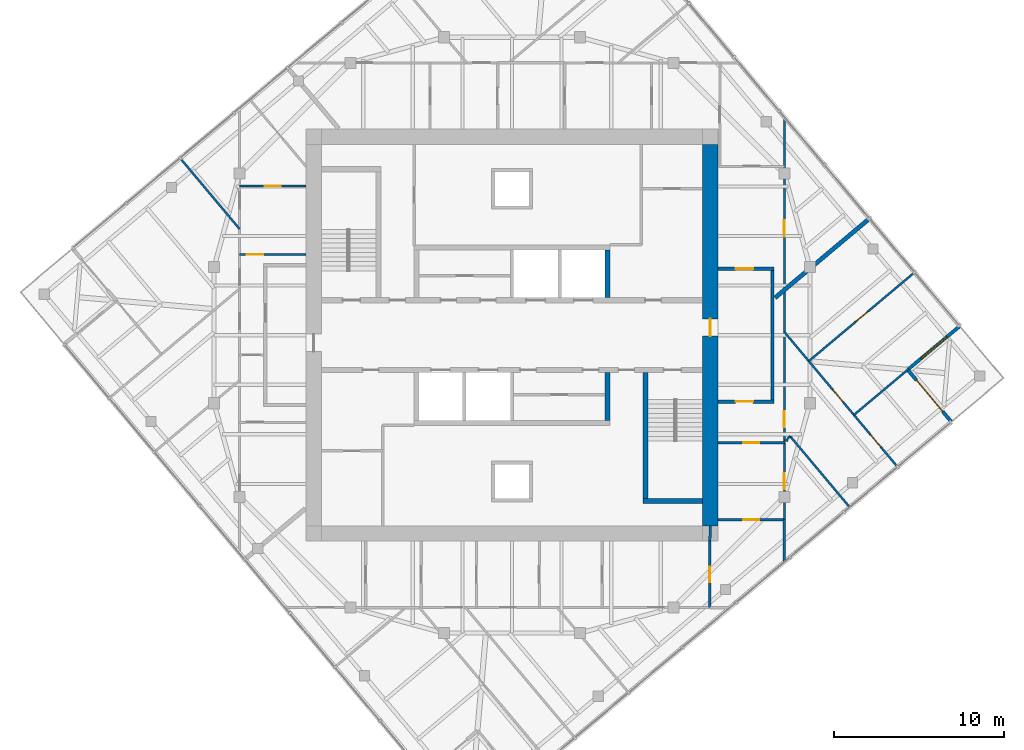
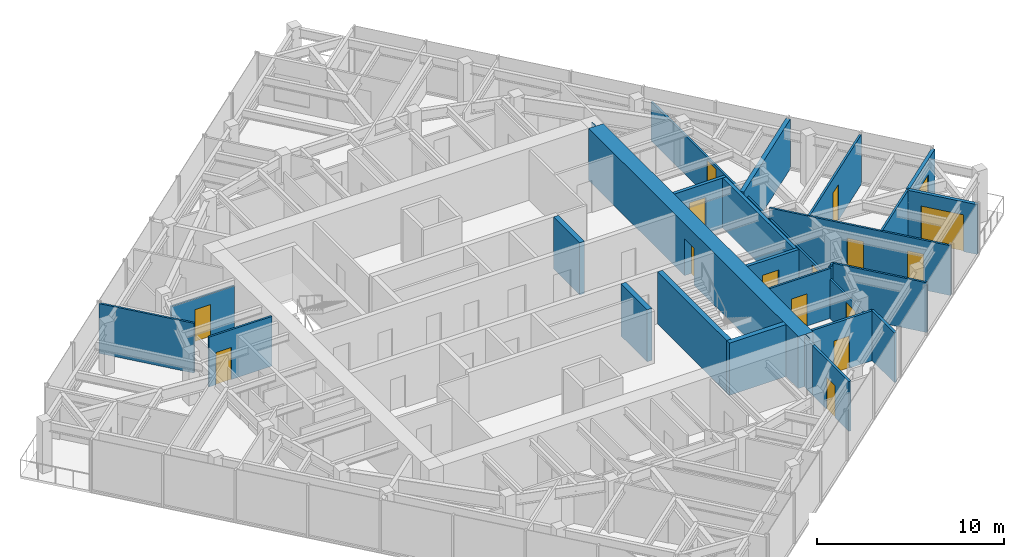
# One storey, part 9 of 12: 27 walls, 15 doors, 1 window, 16 openings.
"""IFC4 building model written with IfcOpenShell, lengths in metres."""

from ifc_helpers import new_model, si_unit, direction, frame, frame_2d, origin, place, context, subcontext, project, spatial, polyline, rectangle, outline, extrude, material, layer, layer_set, type_object, element, fill, save


model = new_model("IFC4")

# Units and contexts
model_context = context("Model", 3, precision=1e-05, world=origin(), true_north=direction((0.0, 1.0)))
body_context = subcontext(model_context, "Body", "Model", "MODEL_VIEW")
ifc_project = project(units=[si_unit("LENGTHUNIT", "METRE"), si_unit("AREAUNIT", "SQUARE_METRE"), si_unit("VOLUMEUNIT", "CUBIC_METRE"), si_unit("PLANEANGLEUNIT", "RADIAN"), si_unit("MASSUNIT", "GRAM", prefix="KILO")], contexts=[model_context])

# Site, building, storey
site_placement = place(None, origin())
site = spatial("IfcSite", under=ifc_project, at=site_placement, CompositionType="ELEMENT")
building_placement = place(site_placement, origin())
building = spatial("IfcBuilding", under=site, at=building_placement, Name="Torsade Residences", CompositionType="ELEMENT")
storey_placement = place(building_placement, frame((0.0, 0.0, 289.60009765625)))
storey = spatial("IfcBuildingStorey", under=building, at=storey_placement, Name="L80", CompositionType="ELEMENT", Elevation=289.60009765625)

# Walls
ifc_material_1 = material(Name="Concrete 80 MPa", Category="concrete")
ifc_layer_1 = layer(ifc_material_1, 0.300048828125)
ifc_layer_set_1 = layer_set([ifc_layer_1], Name="Concrete 80 MPa")
wall_type_1 = type_object("IfcWallType", Name="CORE INTERNAL WALL 300", PredefinedType="SHEAR", material=ifc_layer_set_1)
for number, where, z_axis, x_axis, name in (
    (1, (45.60009765625, 27.800048828125, 0.0), (0.0, 0.0, 1.0), (0.0, -1.0, 0.0), "Core wall DS0 L80"),
    (2, (45.60009765625, 32.199951171875, 0.0), (0.0, 0.0, 1.0), (0.0, 1.0, 0.0), "Core wall DN4 L80"),
):
    element("IfcWall", number, at=place(storey_placement, frame(where, z_axis=z_axis, x_axis=x_axis)), inside=storey, type_object=wall_type_1, Name=name, PredefinedType="SHEAR", context=body_context, shape_type="SweptSolid", body=[
        extrude(rectangle(XDim=2.800048828125, YDim=0.300048828125, at=frame_2d((1.39990234375, 0.0))), origin(), (0.0, 0.0, 1.0), 3.39990234375),
    ])
wall_1_placement = place(storey_placement, frame((47.85009765625, 27.800048828125, 0.0), z_axis=(0.0, 0.0, 1.0), x_axis=(0.0, -1.0, 0.0)))
element("IfcWall", 3, at=wall_1_placement, inside=storey, type_object=wall_type_1, Name="Core wall ST2W L80", PredefinedType="SHEAR", context=body_context, shape_type="SweptSolid", body=[
    extrude(rectangle(XDim=7.699951171875, YDim=0.300048828125, at=frame_2d((3.85009765625, 0.0))), origin(), (0.0, 0.0, 1.0), 3.39990234375),
])
wall_2_placement = place(storey_placement, frame((51.199951171875, 20.25, 0.0), z_axis=(0.0, 0.0, 1.0), x_axis=(-1.0, 0.0, 0.0)))
element("IfcWall", 4, at=wall_2_placement, inside=storey, type_object=wall_type_1, Name="Core wall ST2S L80", PredefinedType="SHEAR", context=body_context, shape_type="SweptSolid", body=[
    extrude(rectangle(XDim=3.5, YDim=0.300048828125, at=frame_2d((1.75, 0.0))), origin(), (0.0, 0.0, 1.0), 3.39990234375),
])

# Wall, opening, door
ifc_material_2 = material(Name="Concrete 80 MPa", Category="concrete")
ifc_layer_2 = layer(ifc_material_2, 0.89990234375)
ifc_layer_set_2 = layer_set([ifc_layer_2], Name="Concrete 80 MPa")
wall_type_2 = type_object("IfcWallType", Name="CORE WALL 900", PredefinedType="SHEAR", material=ifc_layer_set_2)
wall_3_placement = place(storey_placement, frame((51.64990234375, 18.800048828125, 0.0), z_axis=(0.0, 0.0, 1.0), x_axis=(0.0, 1.0, 0.0)))
wall_3 = element("IfcWall", 5, at=wall_3_placement, inside=storey, type_object=wall_type_2, Name="Core wall E L80", PredefinedType="SHEAR", context=body_context, shape_type="SweptSolid", body=[
    extrude(outline(polyline([(0.0, -0.449951171875), (22.39990234375, -0.449951171875), (22.39990234375, -0.02490234375), (22.849853515625, -0.02490234375), (22.849853515625, 0.02490234375), (22.39990234375, 0.02490234375), (22.39990234375, 0.449951171875), (0.0, 0.449951171875), (0.0, 0.02490234375), (-0.449951171875, 0.02490234375), (-0.449951171875, -0.02490234375), (0.0, -0.02490234375), (0.0, -0.449951171875)])), origin(), (0.0, 0.0, 1.0), 3.39990234375),
])
opening_1_placement = place(wall_3_placement, frame((11.139892578125, 0.0, 0.0)))
opening_1 = element("IfcOpeningElement", 6, at=opening_1_placement, cuts=wall_3, Name="Opening D04", PredefinedType="OPENING", context=body_context, shape_type="SweptSolid", body=[
    extrude(rectangle(XDim=1.02001953125, YDim=2.39990234375, at=frame_2d((0.510009765625, 1.199951171875))), frame((0.0, 0.4599609375, 0.0), z_axis=(0.0, -1.0, 0.0), x_axis=(1.0, 0.0, 0.0)), (0.0, 0.0, 1.0), 0.919921875),
])
ifc_material_3 = material(Name="Steel-framed fire door", Category="steel")
door_type_1 = type_object("IfcDoorType", Name="LOBBY SMOKE DOOR 1020x2400", OperationType="NOTDEFINED", PredefinedType="DOOR", material=ifc_material_3)
door_1_placement = place(opening_1_placement, origin())
door_1 = element("IfcDoor", 7, at=door_1_placement, inside=storey, type_object=door_type_1, Name="Lift lobby door E L80", OperationType="SINGLE_SWING_LEFT", OverallHeight=2.39990234375, OverallWidth=1.02001953125, PredefinedType="DOOR", context=body_context, shape_type="SweptSolid", body=[
    extrude(rectangle(XDim=1.02001953125, YDim=2.39990234375, at=frame_2d((0.510009765625, 1.199951171875))), frame((0.0, 0.02490234375, 0.0), z_axis=(0.0, -1.0, 0.0), x_axis=(1.0, 0.0, 0.0)), (0.0, 0.0, 1.0), 0.050048828125),
])
fill(opening_1, door_1)

# Wall
ifc_material_4 = material(Name="Plasterboard on steel stud", Category="steel")
ifc_layer_3 = layer(ifc_material_4, 0.199951171875)
ifc_layer_set_3 = layer_set([ifc_layer_3], Name="Plasterboard on steel stud")
wall_type_3 = type_object("IfcWallType", Name="CORRIDOR WALL 200", PredefinedType="PARTITIONING", material=ifc_layer_set_3)
wall_4_placement = place(storey_placement, frame((55.300048828125, 26.10009765625, 0.0), z_axis=(0.0, 0.0, 1.0), x_axis=(0.0, 1.0, 0.0)))
element("IfcWall", 8, at=wall_4_placement, inside=storey, type_object=wall_type_3, Name="Corridor wall L80", PredefinedType="PARTITIONING", context=body_context, shape_type="SweptSolid", body=[
    extrude(rectangle(XDim=7.7998046875, YDim=0.199951171875, at=frame_2d((3.89990234375, 0.0))), origin(), (0.0, 0.0, 1.0), 3.25),
])

# Wall, opening, door
wall_5_placement = place(storey_placement, frame((52.10009765625, 33.89990234375, 0.0), z_axis=(0.0, 0.0, 1.0), x_axis=(1.0, 0.0, 0.0)))
wall_5 = element("IfcWall", 9, at=wall_5_placement, inside=storey, type_object=wall_type_3, Name="Corridor wall L80", PredefinedType="PARTITIONING", context=body_context, shape_type="SweptSolid", body=[
    extrude(rectangle(XDim=3.2998046875, YDim=0.199951171875, at=frame_2d((1.64990234375, 0.0))), origin(), (0.0, 0.0, 1.0), 3.25),
])
opening_2_placement = place(wall_5_placement, frame((1.0400390625, 0.0, 0.0)))
opening_2 = element("IfcOpeningElement", 10, at=opening_2_placement, cuts=wall_5, Name="Opening D01", PredefinedType="OPENING", context=body_context, shape_type="SweptSolid", body=[
    extrude(rectangle(XDim=1.02001953125, YDim=2.340087890625, at=frame_2d((0.510009765625, 1.169921875))), frame((0.0, 0.10986328125, 0.0), z_axis=(0.0, -1.0, 0.0), x_axis=(1.0, 0.0, 0.0)), (0.0, 0.0, 1.0), 0.219970703125),
])
ifc_material_5 = material(Name="Solid-core timber fire door", Category="wood")
door_type_2 = type_object("IfcDoorType", Name="APARTMENT ENTRY DOOR 1020x2340", OperationType="NOTDEFINED", PredefinedType="DOOR", material=ifc_material_5)
door_2_placement = place(opening_2_placement, origin())
door_2 = element("IfcDoor", 11, at=door_2_placement, inside=storey, type_object=door_type_2, Name="Door Residential corridor to Kitchen and dining", OperationType="SINGLE_SWING_LEFT", OverallHeight=2.340087890625, OverallWidth=1.02001953125, PredefinedType="DOOR", context=body_context, shape_type="SweptSolid", body=[
    extrude(rectangle(XDim=1.02001953125, YDim=2.340087890625, at=frame_2d((0.510009765625, 1.169921875))), frame((0.0, 0.02490234375, 0.0), z_axis=(0.0, -1.0, 0.0), x_axis=(1.0, 0.0, 0.0)), (0.0, 0.0, 1.0), 0.050048828125),
])
fill(opening_2, door_2)

wall_6_placement = place(storey_placement, frame((52.10009765625, 26.10009765625, 0.0), z_axis=(0.0, 0.0, 1.0), x_axis=(1.0, 0.0, 0.0)))
wall_6 = element("IfcWall", 12, at=wall_6_placement, inside=storey, type_object=wall_type_3, Name="Corridor wall L80", PredefinedType="PARTITIONING", context=body_context, shape_type="SweptSolid", body=[
    extrude(rectangle(XDim=3.2998046875, YDim=0.199951171875, at=frame_2d((1.64990234375, 0.0))), origin(), (0.0, 0.0, 1.0), 3.25),
])
opening_3_placement = place(wall_6_placement, frame((1.0400390625, 0.0, 0.0)))
opening_3 = element("IfcOpeningElement", 13, at=opening_3_placement, cuts=wall_6, Name="Opening D01", PredefinedType="OPENING", context=body_context, shape_type="SweptSolid", body=[
    extrude(rectangle(XDim=1.02001953125, YDim=2.340087890625, at=frame_2d((0.510009765625, 1.169921875))), frame((0.0, 0.10986328125, 0.0), z_axis=(0.0, -1.0, 0.0), x_axis=(1.0, 0.0, 0.0)), (0.0, 0.0, 1.0), 0.219970703125),
])
door_3_placement = place(opening_3_placement, origin())
door_3 = element("IfcDoor", 14, at=door_3_placement, inside=storey, type_object=door_type_2, Name="Door Residential corridor to Kitchen and dining", OperationType="SINGLE_SWING_LEFT", OverallHeight=2.340087890625, OverallWidth=1.02001953125, PredefinedType="DOOR", context=body_context, shape_type="SweptSolid", body=[
    extrude(rectangle(XDim=1.02001953125, YDim=2.340087890625, at=frame_2d((0.510009765625, 1.169921875))), frame((0.0, 0.02490234375, 0.0), z_axis=(0.0, -1.0, 0.0), x_axis=(1.0, 0.0, 0.0)), (0.0, 0.0, 1.0), 0.050048828125),
])
fill(opening_3, door_3)

ifc_material_6 = material(Name="Plasterboard on steel stud", Category="steel")
ifc_layer_4 = layer(ifc_material_6, 0.1201171875)
ifc_layer_set_4 = layer_set([ifc_layer_4], Name="Plasterboard on steel stud")
wall_type_4 = type_object("IfcWallType", Name="PARTITION 120", PredefinedType="PARTITIONING", material=ifc_layer_set_4)
wall_7_placement = place(storey_placement, frame((56.0, 23.68115234375, 0.0), z_axis=(0.0, 0.0, 1.0), x_axis=(-1.0, 0.0, 0.0)))
wall_7 = element("IfcWall", 15, at=wall_7_placement, inside=storey, type_object=wall_type_4, Name="Partition L80", PredefinedType="PARTITIONING", context=body_context, shape_type="SweptSolid", body=[
    extrude(rectangle(XDim=3.89990234375, YDim=0.1201171875, at=frame_2d((1.949951171875, 0.0))), origin(), (0.0, 0.0, 1.0), 3.25),
])
opening_4_placement = place(wall_7_placement, frame((1.469970703125, 0.0, 0.0)))
opening_4 = element("IfcOpeningElement", 16, at=opening_4_placement, cuts=wall_7, Name="Opening D05", PredefinedType="OPENING", context=body_context, shape_type="SweptSolid", body=[
    extrude(rectangle(XDim=0.9599609375, YDim=2.10009765625, at=frame_2d((0.47998046875, 1.050048828125))), frame((0.0, 0.070068359375, 0.0), z_axis=(0.0, -1.0, 0.0), x_axis=(1.0, 0.0, 0.0)), (0.0, 0.0, 1.0), 0.14013671875),
])
ifc_material_7 = material(Name="Hollow-core timber door in a steel cavity frame", Category="steel")
door_type_3 = type_object("IfcDoorType", Name="BATHROOM CAVITY SLIDING DOOR 960", OperationType="SLIDING_TO_LEFT", PredefinedType="DOOR", material=ifc_material_7)
door_4_placement = place(opening_4_placement, origin())
door_4 = element("IfcDoor", 17, at=door_4_placement, inside=storey, type_object=door_type_3, Name="Door Kitchen and dining to Laundry", OperationType="SLIDING_TO_LEFT", OverallHeight=2.10009765625, OverallWidth=0.9599609375, PredefinedType="DOOR", context=body_context, shape_type="SweptSolid", body=[
    extrude(rectangle(XDim=0.9599609375, YDim=2.10009765625, at=frame_2d((0.47998046875, 1.050048828125))), frame((0.0, 0.02490234375, 0.0), z_axis=(0.0, -1.0, 0.0), x_axis=(1.0, 0.0, 0.0)), (0.0, 0.0, 1.0), 0.050048828125),
])
fill(opening_4, door_4)

# Wall, openings, doors
wall_8_placement = place(storey_placement, frame((56.0, 42.761962890625, 0.0), z_axis=(0.0, 0.0, 1.0), x_axis=(0.0, -1.0, 0.0)))
wall_8 = element("IfcWall", 18, at=wall_8_placement, inside=storey, type_object=wall_type_4, Name="Partition L80", PredefinedType="PARTITIONING", context=body_context, shape_type="SweptSolid", body=[
    extrude(rectangle(XDim=18.995361328125, YDim=0.1201171875, at=frame_2d((9.49755859375, 0.0))), origin(), (0.0, 0.0, 1.0), 2.5498046875),
])
opening_5_placement = place(wall_8_placement, frame((17.23779296875, 0.0, 0.0)))
opening_5 = element("IfcOpeningElement", 19, at=opening_5_placement, cuts=wall_8, Name="Opening D02", PredefinedType="OPENING", context=body_context, shape_type="SweptSolid", body=[
    extrude(rectangle(XDim=0.919921875, YDim=2.340087890625, at=frame_2d((0.4599609375, 1.169921875))), frame((0.0, 0.070068359375, 0.0), z_axis=(0.0, -1.0, 0.0), x_axis=(1.0, 0.0, 0.0)), (0.0, 0.0, 1.0), 0.14013671875),
])
opening_6_placement = place(wall_8_placement, frame((6.01708984375, 0.0, 0.0)))
opening_6 = element("IfcOpeningElement", 20, at=opening_6_placement, cuts=wall_8, Name="Opening D02", PredefinedType="OPENING", context=body_context, shape_type="SweptSolid", body=[
    extrude(rectangle(XDim=0.919921875, YDim=2.340087890625, at=frame_2d((0.4599609375, 1.169921875))), frame((0.0, 0.070068359375, 0.0), z_axis=(0.0, -1.0, 0.0), x_axis=(1.0, 0.0, 0.0)), (0.0, 0.0, 1.0), 0.14013671875),
])
ifc_material_8 = material(Name="Hollow-core timber door", Category="wood")
door_type_4 = type_object("IfcDoorType", Name="INTERNAL DOOR 920x2340", OperationType="NOTDEFINED", PredefinedType="DOOR", material=ifc_material_8)
door_5_placement = place(opening_5_placement, origin())
door_5 = element("IfcDoor", 21, at=door_5_placement, inside=storey, type_object=door_type_4, Name="Door Kitchen and dining to Bedroom 3", OperationType="SINGLE_SWING_RIGHT", OverallHeight=2.340087890625, OverallWidth=0.919921875, PredefinedType="DOOR", context=body_context, shape_type="SweptSolid", body=[
    extrude(rectangle(XDim=0.919921875, YDim=2.340087890625, at=frame_2d((0.4599609375, 1.169921875))), frame((0.0, 0.02490234375, 0.0), z_axis=(0.0, -1.0, 0.0), x_axis=(1.0, 0.0, 0.0)), (0.0, 0.0, 1.0), 0.050048828125),
])
fill(opening_5, door_5)
door_6_placement = place(opening_6_placement, origin())
door_6 = element("IfcDoor", 22, at=door_6_placement, inside=storey, type_object=door_type_4, Name="Door Kitchen and dining to Bedroom 3", OperationType="SINGLE_SWING_LEFT", OverallHeight=2.340087890625, OverallWidth=0.919921875, PredefinedType="DOOR", context=body_context, shape_type="SweptSolid", body=[
    extrude(rectangle(XDim=0.919921875, YDim=2.340087890625, at=frame_2d((0.4599609375, 1.169921875))), frame((0.0, 0.02490234375, 0.0), z_axis=(0.0, -1.0, 0.0), x_axis=(1.0, 0.0, 0.0)), (0.0, 0.0, 1.0), 0.050048828125),
])
fill(opening_6, door_6)

# Wall, opening, door
wall_9_placement = place(storey_placement, frame((56.0, 23.68115234375, 0.0), z_axis=(0.0, 0.0, 1.0), x_axis=(0.0, -1.0, 0.0)))
wall_9 = element("IfcWall", 23, at=wall_9_placement, inside=storey, type_object=wall_type_4, Name="Partition L80", PredefinedType="PARTITIONING", context=body_context, shape_type="SweptSolid", body=[
    extrude(rectangle(XDim=4.519287109375, YDim=0.1201171875, at=frame_2d((2.259765625, 0.0))), origin(), (0.0, 0.0, 1.0), 2.5498046875),
])
opening_7_placement = place(wall_9_placement, frame((1.779541015625, 0.0, 0.0)))
opening_7 = element("IfcOpeningElement", 24, at=opening_7_placement, cuts=wall_9, Name="Opening D05", PredefinedType="OPENING", context=body_context, shape_type="SweptSolid", body=[
    extrude(rectangle(XDim=0.9599609375, YDim=2.10009765625, at=frame_2d((0.47998046875, 1.050048828125))), frame((0.0, 0.070068359375, 0.0), z_axis=(0.0, -1.0, 0.0), x_axis=(1.0, 0.0, 0.0)), (0.0, 0.0, 1.0), 0.14013671875),
])
door_7_placement = place(opening_7_placement, origin())
door_7 = element("IfcDoor", 25, at=door_7_placement, inside=storey, type_object=door_type_3, Name="Door Laundry to Dining room", OperationType="SLIDING_TO_LEFT", OverallHeight=2.10009765625, OverallWidth=0.9599609375, PredefinedType="DOOR", context=body_context, shape_type="SweptSolid", body=[
    extrude(rectangle(XDim=0.9599609375, YDim=2.10009765625, at=frame_2d((0.47998046875, 1.050048828125))), frame((0.0, 0.02490234375, 0.0), z_axis=(0.0, -1.0, 0.0), x_axis=(1.0, 0.0, 0.0)), (0.0, 0.0, 1.0), 0.050048828125),
])
fill(opening_7, door_7)

# Wall, openings, doors
wall_10_placement = place(storey_placement, frame((62.631103515625, 22.28125, 0.0), z_axis=(0.0, 0.0, 1.0), x_axis=(-0.64277851249, 0.766052076481, 0.0)))
wall_10 = element("IfcWall", 26, at=wall_10_placement, inside=storey, type_object=wall_type_4, Name="Partition L80", PredefinedType="PARTITIONING", context=body_context, shape_type="SweptSolid", body=[
    extrude(rectangle(XDim=10.31640625, YDim=0.1201171875, at=frame_2d((5.158203125, 0.0))), origin(), (0.0, 0.0, 1.0), 3.25),
])
opening_8_placement = place(wall_10_placement, frame((4.96240234375, 0.0, 0.0)))
opening_8 = element("IfcOpeningElement", 27, at=opening_8_placement, cuts=wall_10, Name="Opening D02", PredefinedType="OPENING", context=body_context, shape_type="SweptSolid", body=[
    extrude(rectangle(XDim=0.919921875, YDim=2.340087890625, at=frame_2d((0.4599609375, 1.169921875))), frame((0.0, 0.070068359375, 0.0), z_axis=(0.0, -1.0, 0.0), x_axis=(1.0, 0.0, 0.0)), (0.0, 0.0, 1.0), 0.14013671875),
])
opening_9_placement = place(wall_10_placement, frame((1.52490234375, 0.0, 0.0)))
opening_9 = element("IfcOpeningElement", 28, at=opening_9_placement, cuts=wall_10, Name="Opening D02", PredefinedType="OPENING", context=body_context, shape_type="SweptSolid", body=[
    extrude(rectangle(XDim=0.919921875, YDim=2.340087890625, at=frame_2d((0.4599609375, 1.169921875))), frame((0.0, 0.070068359375, 0.0), z_axis=(0.0, -1.0, 0.0), x_axis=(1.0, 0.0, 0.0)), (0.0, 0.0, 1.0), 0.14013671875),
])
door_8_placement = place(opening_8_placement, origin())
door_8 = element("IfcDoor", 29, at=door_8_placement, inside=storey, type_object=door_type_4, Name="Door Bedroom 3 to Bedroom 2", OperationType="SINGLE_SWING_RIGHT", OverallHeight=2.340087890625, OverallWidth=0.919921875, PredefinedType="DOOR", context=body_context, shape_type="SweptSolid", body=[
    extrude(rectangle(XDim=0.919921875, YDim=2.340087890625, at=frame_2d((0.4599609375, 1.169921875))), frame((0.0, 0.02490234375, 0.0), z_axis=(0.0, -1.0, 0.0), x_axis=(1.0, 0.0, 0.0)), (0.0, 0.0, 1.0), 0.050048828125),
])
fill(opening_8, door_8)
door_9_placement = place(opening_9_placement, origin())
door_9 = element("IfcDoor", 30, at=door_9_placement, inside=storey, type_object=door_type_4, Name="Door Bedroom 3 to Family room", OperationType="SINGLE_SWING_LEFT", OverallHeight=2.340087890625, OverallWidth=0.919921875, PredefinedType="DOOR", context=body_context, shape_type="SweptSolid", body=[
    extrude(rectangle(XDim=0.919921875, YDim=2.340087890625, at=frame_2d((0.4599609375, 1.169921875))), frame((0.0, 0.02490234375, 0.0), z_axis=(0.0, -1.0, 0.0), x_axis=(1.0, 0.0, 0.0)), (0.0, 0.0, 1.0), 0.050048828125),
])
fill(opening_9, door_9)

# Wall, opening, door
wall_11_placement = place(storey_placement, frame((57.434326171875, 28.474609375, 0.0), z_axis=(0.0, 0.0, 1.0), x_axis=(0.766033729027, 0.642800378028, 0.0)))
wall_11 = element("IfcWall", 31, at=wall_11_placement, inside=storey, type_object=wall_type_4, Name="Partition L80", PredefinedType="PARTITIONING", context=body_context, shape_type="SweptSolid", body=[
    extrude(rectangle(XDim=8.0849609375, YDim=0.1201171875, at=frame_2d((4.04248046875, 0.0))), origin(), (0.0, 0.0, 1.0), 3.25),
])
opening_10_placement = place(wall_11_placement, frame((3.6025390625, 0.0, 0.0)))
opening_10 = element("IfcOpeningElement", 32, at=opening_10_placement, cuts=wall_11, Name="Opening D02", PredefinedType="OPENING", context=body_context, shape_type="SweptSolid", body=[
    extrude(rectangle(XDim=0.919921875, YDim=2.340087890625, at=frame_2d((0.4599609375, 1.169921875))), frame((0.0, 0.070068359375, 0.0), z_axis=(0.0, -1.0, 0.0), x_axis=(1.0, 0.0, 0.0)), (0.0, 0.0, 1.0), 0.14013671875),
])
door_10_placement = place(opening_10_placement, origin())
door_10 = element("IfcDoor", 33, at=door_10_placement, inside=storey, type_object=door_type_4, Name="Door Bedroom 2 to Bedroom 4", OperationType="SINGLE_SWING_RIGHT", OverallHeight=2.340087890625, OverallWidth=0.919921875, PredefinedType="DOOR", context=body_context, shape_type="SweptSolid", body=[
    extrude(rectangle(XDim=0.919921875, YDim=2.340087890625, at=frame_2d((0.4599609375, 1.169921875))), frame((0.0, 0.02490234375, 0.0), z_axis=(0.0, -1.0, 0.0), x_axis=(1.0, 0.0, 0.0)), (0.0, 0.0, 1.0), 0.050048828125),
])
fill(opening_10, door_10)

# Walls
wall_12_placement = place(storey_placement, frame((63.215087890625, 27.9404296875, 0.0), z_axis=(0.0, 0.0, 1.0), x_axis=(-0.766036790562, -0.642796729538, 0.0)))
element("IfcWall", 34, at=wall_12_placement, inside=storey, type_object=wall_type_4, Name="Partition L80", PredefinedType="PARTITIONING", context=body_context, shape_type="SweptSolid", body=[
    extrude(rectangle(XDim=4.0849609375, YDim=0.1201171875, at=frame_2d((2.04248046875, 0.0))), origin(), (0.0, 0.0, 1.0), 3.25),
])
wall_13_placement = place(storey_placement, frame((59.81591796875, 19.9189453125, 0.0), z_axis=(0.0, 0.0, 1.0), x_axis=(-0.642773197476, 0.766056536168, 0.0)))
element("IfcWall", 35, at=wall_13_placement, inside=storey, type_object=wall_type_4, Name="Partition L80", PredefinedType="PARTITIONING", context=body_context, shape_type="SweptSolid", body=[
    extrude(rectangle(XDim=5.400390625, YDim=0.1201171875, at=frame_2d((2.7001953125, 0.0))), origin(), (0.0, 0.0, 1.0), 3.25),
])
wall_14_placement = place(storey_placement, frame((56.3447265625, 24.055908203125, 0.0), z_axis=(0.0, 0.0, 1.0), x_axis=(-0.766260492227, -0.642530044474, 0.0)))
element("IfcWall", 36, at=wall_14_placement, inside=storey, type_object=wall_type_4, Name="Partition L80", PredefinedType="PARTITIONING", context=body_context, shape_type="SweptSolid", body=[
    extrude(rectangle(XDim=0.224853515625, YDim=0.1201171875, at=frame_2d((0.1123046875, 0.0))), origin(), (0.0, 0.0, 1.0), 3.25),
])
wall_15_placement = place(storey_placement, frame((56.206787109375, 23.816650390625, 0.0), z_axis=(0.0, 0.0, 1.0), x_axis=(-1.0, 0.0, 0.0)))
element("IfcWall", 37, at=wall_15_placement, inside=storey, type_object=wall_type_4, Name="Partition L80", PredefinedType="PARTITIONING", context=body_context, shape_type="SweptSolid", body=[
    extrude(rectangle(XDim=0.206787109375, YDim=0.1201171875, at=frame_2d((0.103515625, 0.0))), origin(), (0.0, 0.0, 1.0), 3.25),
])

# Wall, opening, door
wall_16_placement = place(storey_placement, frame((24.0, 34.742431640625, 0.0), z_axis=(0.0, 0.0, 1.0), x_axis=(1.0, 0.0, 0.0)))
wall_16 = element("IfcWall", 38, at=wall_16_placement, inside=storey, type_object=wall_type_4, Name="Partition L80", PredefinedType="PARTITIONING", context=body_context, shape_type="SweptSolid", body=[
    extrude(rectangle(XDim=3.89990234375, YDim=0.1201171875, at=frame_2d((1.949951171875, 0.0))), origin(), (0.0, 0.0, 1.0), 3.25),
])
opening_11_placement = place(wall_16_placement, frame((0.419921875, 0.0, 0.0)))
opening_11 = element("IfcOpeningElement", 39, at=opening_11_placement, cuts=wall_16, Name="Opening D05", PredefinedType="OPENING", context=body_context, shape_type="SweptSolid", body=[
    extrude(rectangle(XDim=0.9599609375, YDim=2.10009765625, at=frame_2d((0.47998046875, 1.050048828125))), frame((0.0, 0.070068359375, 0.0), z_axis=(0.0, -1.0, 0.0), x_axis=(1.0, 0.0, 0.0)), (0.0, 0.0, 1.0), 0.14013671875),
])
door_11_placement = place(opening_11_placement, origin())
door_11 = element("IfcDoor", 40, at=door_11_placement, inside=storey, type_object=door_type_3, Name="Door Kitchen and dining to Laundry", OperationType="SLIDING_TO_LEFT", OverallHeight=2.10009765625, OverallWidth=0.9599609375, PredefinedType="DOOR", context=body_context, shape_type="SweptSolid", body=[
    extrude(rectangle(XDim=0.9599609375, YDim=2.10009765625, at=frame_2d((0.47998046875, 1.050048828125))), frame((0.0, 0.02490234375, 0.0), z_axis=(0.0, -1.0, 0.0), x_axis=(1.0, 0.0, 0.0)), (0.0, 0.0, 1.0), 0.050048828125),
])
fill(opening_11, door_11)

wall_17_placement = place(storey_placement, frame((27.89990234375, 38.762451171875, 0.0), z_axis=(0.0, 0.0, 1.0), x_axis=(-1.0, 0.0, 0.0)))
wall_17 = element("IfcWall", 41, at=wall_17_placement, inside=storey, type_object=wall_type_4, Name="Partition L80", PredefinedType="PARTITIONING", context=body_context, shape_type="SweptSolid", body=[
    extrude(rectangle(XDim=3.89990234375, YDim=0.1201171875, at=frame_2d((1.949951171875, 0.0))), origin(), (0.0, 0.0, 1.0), 2.7958984375),
])
opening_12_placement = place(wall_17_placement, frame((1.469970703125, 0.0, 0.0)))
opening_12 = element("IfcOpeningElement", 42, at=opening_12_placement, cuts=wall_17, Name="Opening D05", PredefinedType="OPENING", context=body_context, shape_type="SweptSolid", body=[
    extrude(rectangle(XDim=0.9599609375, YDim=2.10009765625, at=frame_2d((0.47998046875, 1.050048828125))), frame((0.0, 0.070068359375, 0.0), z_axis=(0.0, -1.0, 0.0), x_axis=(1.0, 0.0, 0.0)), (0.0, 0.0, 1.0), 0.14013671875),
])
door_12_placement = place(opening_12_placement, origin())
door_12 = element("IfcDoor", 43, at=door_12_placement, inside=storey, type_object=door_type_3, Name="Door Laundry to Dressing room", OperationType="SLIDING_TO_LEFT", OverallHeight=2.10009765625, OverallWidth=0.9599609375, PredefinedType="DOOR", context=body_context, shape_type="SweptSolid", body=[
    extrude(rectangle(XDim=0.9599609375, YDim=2.10009765625, at=frame_2d((0.47998046875, 1.050048828125))), frame((0.0, 0.02490234375, 0.0), z_axis=(0.0, -1.0, 0.0), x_axis=(1.0, 0.0, 0.0)), (0.0, 0.0, 1.0), 0.050048828125),
])
fill(opening_12, door_12)

# Walls
wall_18_placement = place(storey_placement, frame((20.528564453125, 40.370361328125, 0.0), z_axis=(0.0, 0.0, 1.0), x_axis=(0.642799726543, -0.766034275706, 0.0)))
element("IfcWall", 44, at=wall_18_placement, inside=storey, type_object=wall_type_4, Name="Partition L80", PredefinedType="PARTITIONING", context=body_context, shape_type="SweptSolid", body=[
    extrude(rectangle(XDim=5.400390625, YDim=0.1201171875, at=frame_2d((2.7001953125, 0.0))), origin(), (0.0, 0.0, 1.0), 3.25),
])
ifc_material_9 = material(Name="Masonry-lined stud party wall", Category="masonry")
ifc_layer_5 = layer(ifc_material_9, 0.25)
ifc_layer_set_5 = layer_set([ifc_layer_5], Name="Masonry-lined stud party wall")
wall_type_5 = type_object("IfcWallType", Name="PARTY WALL 250", PredefinedType="PARTITIONING", material=ifc_layer_set_5)
wall_19_placement = place(storey_placement, frame((61.0068359375, 36.857177734375, 0.0), z_axis=(0.0, 0.0, 1.0), x_axis=(-0.766054150891, -0.642776040237, 0.0)))
element("IfcWall", 45, at=wall_19_placement, inside=storey, type_object=wall_type_5, Name="Party wall L80", PredefinedType="PARTITIONING", context=body_context, shape_type="SweptSolid", body=[
    extrude(rectangle(XDim=7.254150390625, YDim=0.25, at=frame_2d((3.626953125, 0.0))), origin(), (0.0, 0.0, 1.0), 3.25),
])

# Wall, opening, door
ifc_material_10 = material(Name="Reinforced blockwork", Category="masonry")
ifc_layer_6 = layer(ifc_material_10, 0.14990234375)
ifc_layer_set_6 = layer_set([ifc_layer_6], Name="Reinforced blockwork")
wall_type_6 = type_object("IfcWallType", Name="SERVICE ROOM WALL 150", PredefinedType="SOLIDWALL", material=ifc_layer_set_6)
wall_20_placement = place(storey_placement, frame((56.0, 19.161865234375, 0.0), z_axis=(0.0, 0.0, 1.0), x_axis=(-1.0, 0.0, 0.0)))
wall_20 = element("IfcWall", 46, at=wall_20_placement, inside=storey, type_object=wall_type_6, Name="Service room wall L80", PredefinedType="SOLIDWALL", context=body_context, shape_type="SweptSolid", body=[
    extrude(rectangle(XDim=3.89990234375, YDim=0.14990234375, at=frame_2d((1.949951171875, 0.0))), origin(), (0.0, 0.0, 1.0), 3.25),
])
opening_13_placement = place(wall_20_placement, frame((1.469970703125, 0.0, 0.0)))
opening_13 = element("IfcOpeningElement", 47, at=opening_13_placement, cuts=wall_20, Name="Opening D05", PredefinedType="OPENING", context=body_context, shape_type="SweptSolid", body=[
    extrude(rectangle(XDim=0.9599609375, YDim=2.10009765625, at=frame_2d((0.47998046875, 1.050048828125))), frame((0.0, 0.0849609375, 0.0), z_axis=(0.0, -1.0, 0.0), x_axis=(1.0, 0.0, 0.0)), (0.0, 0.0, 1.0), 0.169921875),
])
door_13_placement = place(opening_13_placement, origin())
door_13 = element("IfcDoor", 48, at=door_13_placement, inside=storey, type_object=door_type_3, Name="Door Laundry to Linen store 2", OperationType="SLIDING_TO_LEFT", OverallHeight=2.10009765625, OverallWidth=0.9599609375, PredefinedType="DOOR", context=body_context, shape_type="SweptSolid", body=[
    extrude(rectangle(XDim=0.9599609375, YDim=2.10009765625, at=frame_2d((0.47998046875, 1.050048828125))), frame((0.0, 0.02490234375, 0.0), z_axis=(0.0, -1.0, 0.0), x_axis=(1.0, 0.0, 0.0)), (0.0, 0.0, 1.0), 0.050048828125),
])
fill(opening_13, door_13)

wall_21_placement = place(storey_placement, frame((51.624755859375, 14.0, 0.0), z_axis=(0.0, 0.0, 1.0), x_axis=(0.0, 1.0, 0.0)))
wall_21 = element("IfcWall", 49, at=wall_21_placement, inside=storey, type_object=wall_type_6, Name="Service room wall L80", PredefinedType="SOLIDWALL", context=body_context, shape_type="SweptSolid", body=[
    extrude(rectangle(XDim=3.89990234375, YDim=0.14990234375, at=frame_2d((1.949951171875, 0.0))), origin(), (0.0, 0.0, 1.0), 3.25),
])
opening_14_placement = place(wall_21_placement, frame((1.489990234375, 0.0, 0.0)))
opening_14 = element("IfcOpeningElement", 50, at=opening_14_placement, cuts=wall_21, Name="Opening D02L", PredefinedType="OPENING", context=body_context, shape_type="SweptSolid", body=[
    extrude(rectangle(XDim=0.919921875, YDim=2.10009765625, at=frame_2d((0.4599609375, 1.050048828125))), frame((0.0, 0.0849609375, 0.0), z_axis=(0.0, -1.0, 0.0), x_axis=(1.0, 0.0, 0.0)), (0.0, 0.0, 1.0), 0.169921875),
])
ifc_material_11 = material(Name="Hollow-core timber door", Category="wood")
door_type_5 = type_object("IfcDoorType", Name="INTERNAL DOOR 920x2100", OperationType="NOTDEFINED", PredefinedType="DOOR", material=ifc_material_11)
door_14_placement = place(opening_14_placement, origin())
door_14 = element("IfcDoor", 51, at=door_14_placement, inside=storey, type_object=door_type_5, Name="Door Linen store 2 to Walk-in robe", OperationType="SINGLE_SWING_LEFT", OverallHeight=2.10009765625, OverallWidth=0.919921875, PredefinedType="DOOR", context=body_context, shape_type="SweptSolid", body=[
    extrude(rectangle(XDim=0.919921875, YDim=2.10009765625, at=frame_2d((0.4599609375, 1.050048828125))), frame((0.0, 0.02490234375, 0.0), z_axis=(0.0, -1.0, 0.0), x_axis=(1.0, 0.0, 0.0)), (0.0, 0.0, 1.0), 0.050048828125),
])
fill(opening_14, door_14)

# Walls
wall_22_placement = place(storey_placement, frame((56.0, 19.161865234375, 0.0), z_axis=(0.0, 0.0, 1.0), x_axis=(0.0, -1.0, 0.0)))
element("IfcWall", 52, at=wall_22_placement, inside=storey, type_object=wall_type_6, Name="Service room wall L80", PredefinedType="SOLIDWALL", context=body_context, shape_type="SweptSolid", body=[
    extrude(rectangle(XDim=2.44482421875, YDim=0.14990234375, at=frame_2d((1.222412109375, 0.0))), origin(), (0.0, 0.0, 1.0), 3.25),
])
wall_23_placement = place(storey_placement, frame((51.624755859375, 17.89990234375, 0.0), z_axis=(0.0, 0.0, 1.0), x_axis=(0.027925096799, 0.999610018442, 0.0)))
element("IfcWall", 53, at=wall_23_placement, inside=storey, type_object=wall_type_6, Name="Service room wall L80", PredefinedType="SOLIDWALL", context=body_context, shape_type="SweptSolid", body=[
    extrude(rectangle(XDim=0.900390625, YDim=0.14990234375, at=frame_2d((0.4501953125, 0.0))), origin(), (0.0, 0.0, 1.0), 3.25),
])

# Wall, opening, door
ifc_material_12 = material(Name="Stone-faced precast concrete 40 MPa panel", Category="masonry")
ifc_layer_7 = layer(ifc_material_12, 0.199951171875)
ifc_layer_set_7 = layer_set([ifc_layer_7], Name="Stone-faced precast concrete 40 MPa panel")
wall_type_7 = type_object("IfcWallType", Name="TERRACE WALL 200", PredefinedType="SOLIDWALL", material=ifc_layer_set_7)
wall_24_placement = place(storey_placement, frame((65.81689453125, 24.902099609375, 0.0), z_axis=(0.0, 0.0, 1.0), x_axis=(-0.642768287094, 0.766060656284, 0.0)))
wall_24 = element("IfcWall", 54, at=wall_24_placement, inside=storey, type_object=wall_type_7, Name="Terrace wall L80 2", PredefinedType="SOLIDWALL", context=body_context, shape_type="SweptSolid", body=[
    extrude(rectangle(XDim=4.0, YDim=0.199951171875, at=frame_2d((2.0, 0.0))), origin(), (0.0, 0.0, 1.0), 3.25),
])
opening_15_placement = place(wall_24_placement, frame((0.800048828125, 0.0, 0.0)))
opening_15 = element("IfcOpeningElement", 55, at=opening_15_placement, cuts=wall_24, Name="Opening D10", PredefinedType="OPENING", context=body_context, shape_type="SweptSolid", body=[
    extrude(rectangle(XDim=2.39990234375, YDim=2.39990234375, at=frame_2d((1.199951171875, 1.199951171875))), frame((0.0, 0.10986328125, 0.0), z_axis=(0.0, -1.0, 0.0), x_axis=(1.0, 0.0, 0.0)), (0.0, 0.0, 1.0), 0.219970703125),
])
ifc_material_13 = material(Name="Aluminium-framed glass door", Category="aluminium")
door_type_6 = type_object("IfcDoorType", Name="TERRACE SLIDING DOOR 2400", OperationType="SLIDING_TO_LEFT", PredefinedType="DOOR", material=ifc_material_13)
door_15_placement = place(opening_15_placement, origin())
door_15 = element("IfcDoor", 56, at=door_15_placement, inside=storey, type_object=door_type_6, Name="Terrace door L80 2", OperationType="SLIDING_TO_LEFT", OverallHeight=2.39990234375, OverallWidth=2.39990234375, PredefinedType="DOOR", context=body_context, shape_type="SweptSolid", body=[
    extrude(rectangle(XDim=2.39990234375, YDim=2.39990234375, at=frame_2d((1.199951171875, 1.199951171875))), frame((0.0, 0.02490234375, 0.0), z_axis=(0.0, -1.0, 0.0), x_axis=(1.0, 0.0, 0.0)), (0.0, 0.0, 1.0), 0.050048828125),
])
fill(opening_15, door_15)

# Wall, opening, window
wall_25_placement = place(storey_placement, frame((63.245849609375, 27.96630859375, 0.0), z_axis=(0.0, 0.0, 1.0), x_axis=(0.766035437498, 0.642798342015, 0.0)))
wall_25 = element("IfcWall", 57, at=wall_25_placement, inside=storey, type_object=wall_type_7, Name="Terrace wall L80 3", PredefinedType="SOLIDWALL", context=body_context, shape_type="SweptSolid", body=[
    extrude(rectangle(XDim=3.999755859375, YDim=0.199951171875, at=frame_2d((2.0, 0.0))), origin(), (0.0, 0.0, 1.0), 3.25),
])
opening_16_placement = place(wall_25_placement, frame((1.0, 0.0, 0.449951171875)))
opening_16 = element("IfcOpeningElement", 58, at=opening_16_placement, cuts=wall_25, Name="Opening W1B", PredefinedType="OPENING", context=body_context, shape_type="SweptSolid", body=[
    extrude(rectangle(XDim=2.0, YDim=1.800048828125, at=frame_2d((1.0, 0.89990234375))), frame((0.0, 0.10986328125, 0.0), z_axis=(0.0, -1.0, 0.0), x_axis=(1.0, 0.0, 0.0)), (0.0, 0.0, 1.0), 0.219970703125),
])
ifc_material_14 = material(Name="Aluminium-framed glass window", Category="aluminium")
window_type = type_object("IfcWindowType", Name="TERRACE WINDOW 2000x1800", PartitioningType="SINGLE_PANEL", PredefinedType="WINDOW", material=ifc_material_14)
window_placement = place(opening_16_placement, origin())
window = element("IfcWindow", 59, at=window_placement, inside=storey, type_object=window_type, Name="Terrace window L80 3", OverallHeight=1.800048828125, OverallWidth=2.0, PartitioningType="SINGLE_PANEL", PredefinedType="WINDOW", context=body_context, shape_type="SweptSolid", body=[
    extrude(rectangle(XDim=2.0, YDim=1.800048828125, at=frame_2d((1.0, 0.89990234375))), frame((0.0, 0.030029296875, 0.0), z_axis=(0.0, -1.0, 0.0), x_axis=(1.0, 0.0, 0.0)), (0.0, 0.0, 1.0), 0.06005859375),
])
fill(opening_16, window)

save(model, "model.ifc")
